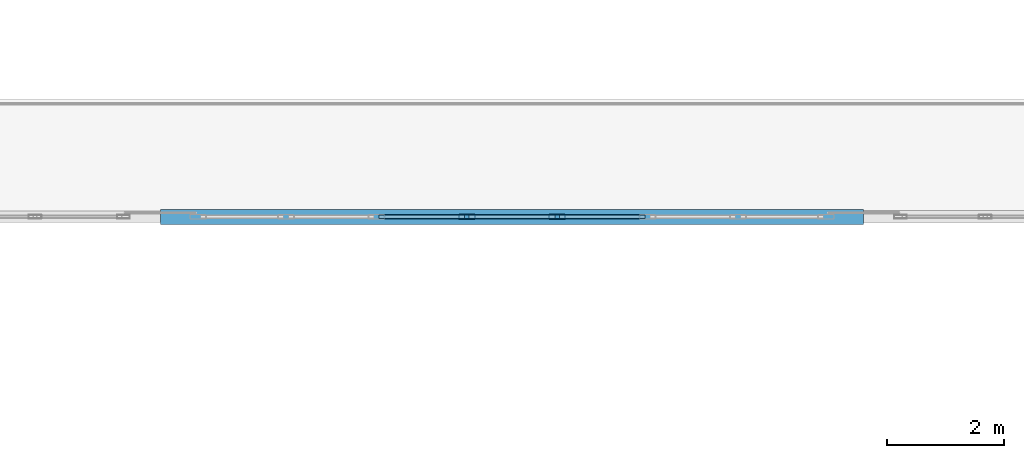
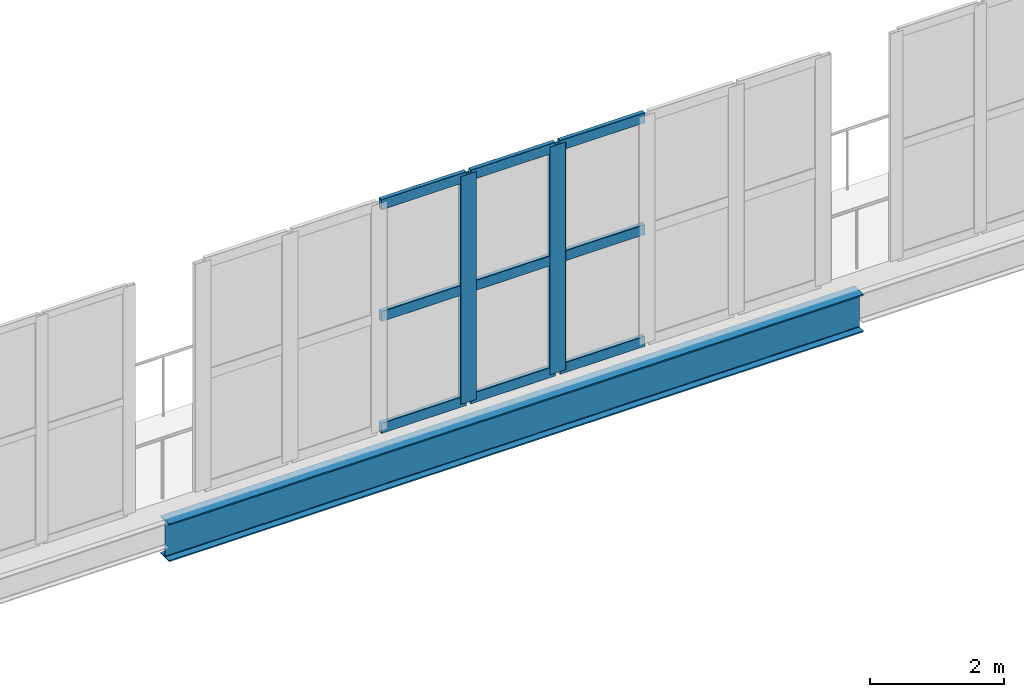
# One storey, part 4 of 90: 11 members, 1 beam, 1 element without a shape of its own.
"""IFC4 building model written with IfcOpenShell, lengths in metres."""

from ifc_helpers import new_model, si_unit, direction, frame, origin, origin_2d, place, context, subcontext, project, spatial, hollow_rectangle, i_section, extrude, material, layer, layer_set, material_profile, profile_set, type_object, element, aggregate, save


model = new_model("IFC4")

# Units and contexts
model_context = context("Model", 3, precision=1e-05, world=origin(), true_north=direction((0.0, 1.0)))
body_context = subcontext(model_context, "Body", "Model", "MODEL_VIEW")
ifc_project = project(units=[si_unit("LENGTHUNIT", "METRE"), si_unit("AREAUNIT", "SQUARE_METRE"), si_unit("VOLUMEUNIT", "CUBIC_METRE"), si_unit("PLANEANGLEUNIT", "RADIAN"), si_unit("MASSUNIT", "GRAM", prefix="KILO")], contexts=[model_context])

# Site, building, storey
site_placement = place(None, origin())
site = spatial("IfcSite", under=ifc_project, at=site_placement, CompositionType="ELEMENT")
building_placement = place(site_placement, origin())
building = spatial("IfcBuilding", under=site, at=building_placement, Name="Brinegate Civic Arena", CompositionType="ELEMENT")
storey_placement = place(building_placement, frame((0.0, 0.0, 14.699951171875)))
storey = spatial("IfcBuildingStorey", under=building, at=storey_placement, Name="L03", CompositionType="ELEMENT", Elevation=14.699951171875)

# Curtain wall, members
ifc_material_1 = material(Name="Marine grade aluminium", Category="aluminium")
ifc_layer = layer(ifc_material_1, 0.18505859375, Name="Marine grade aluminium")
ifc_layer_set = layer_set([ifc_layer], Name="Marine grade aluminium")
curtain_wall_type = type_object("IfcCurtainWallType", Name="CW-WING-GLAZED-03", PredefinedType="USERDEFINED", material=ifc_layer_set)
curtain_wall_placement = place(storey_placement, origin())
curtain_wall = element("IfcCurtainWall", 1, at=curtain_wall_placement, inside=storey, type_object=curtain_wall_type, Name="Curtain Wall CWA-029", ObjectType="GLAZED CURTAIN WALL", PredefinedType="USERDEFINED")
ifc_material_profile_1 = material_profile(ifc_material_1, hollow_rectangle(XDim=0.080078125, YDim=0.280029296875, WallThickness=0.007080078125, InnerFilletRadius=0.0048828125, OuterFilletRadius=0.010009765625, at=origin_2d()), Name="MUL80X280")
ifc_profile_set_1 = profile_set([ifc_material_profile_1], Name="Marine grade aluminium")
member_type_1 = type_object("IfcMemberType", Name="CW-MULLION-80X280", PredefinedType="MULLION", material=ifc_profile_set_1)
member_1_placement = place(storey_placement, frame((29.228515625, 10.0, 0.0), z_axis=(0.0, 0.0, 1.0), x_axis=(0.0, 1.0, 0.0)))
member_1 = element("IfcMember", 2, at=member_1_placement, type_object=member_type_1, Name="CWA-029 mullion 4", PredefinedType="MULLION", context=body_context, shape_type="SweptSolid", body=[
    extrude(hollow_rectangle(XDim=0.080078125, YDim=0.280029296875, WallThickness=0.007080078125, InnerFilletRadius=0.0048828125, OuterFilletRadius=0.010009765625, at=origin_2d()), origin(), (0.0, 0.0, 1.0), 4.16015625),
])
member_2_placement = place(storey_placement, frame((30.771484375, 10.0, 0.0), z_axis=(0.0, 0.0, 1.0), x_axis=(0.0, 1.0, 0.0)))
member_2 = element("IfcMember", 3, at=member_2_placement, type_object=member_type_1, Name="CWA-029 mullion 5", PredefinedType="MULLION", context=body_context, shape_type="SweptSolid", body=[
    extrude(hollow_rectangle(XDim=0.080078125, YDim=0.280029296875, WallThickness=0.007080078125, InnerFilletRadius=0.0048828125, OuterFilletRadius=0.010009765625, at=origin_2d()), origin(), (0.0, 0.0, 1.0), 4.16015625),
])
ifc_material_profile_2 = material_profile(ifc_material_1, hollow_rectangle(XDim=0.074951171875, YDim=0.18994140625, WallThickness=0.006103515625, InnerFilletRadius=0.00390625, OuterFilletRadius=0.008056640625, at=origin_2d()), Name="TRN75X190")
ifc_profile_set_2 = profile_set([ifc_material_profile_2], Name="Marine grade aluminium")
member_type_2 = type_object("IfcMemberType", Name="CW-TRANSOM-75X190", PredefinedType="USERDEFINED", material=ifc_profile_set_2)
member_3_placement = place(storey_placement, frame((27.725830078125, 10.0, 0.03759765625), z_axis=(1.0, 0.0, 0.0), x_axis=(0.0, 1.0, 0.0)))
member_3 = element("IfcMember", 4, at=member_3_placement, type_object=member_type_2, Name="CWA-029 transom 3.1", ObjectType="TRANSOM", PredefinedType="USERDEFINED", context=body_context, shape_type="SweptSolid", body=[
    extrude(hollow_rectangle(XDim=0.074951171875, YDim=0.18994140625, WallThickness=0.006103515625, InnerFilletRadius=0.00390625, OuterFilletRadius=0.008056640625, at=origin_2d()), origin(), (0.0, 0.0, 1.0), 1.462646484375),
])
member_4_placement = place(storey_placement, frame((27.725830078125, 10.0, 2.080078125), z_axis=(1.0, 0.0, 0.0), x_axis=(0.0, 1.0, 0.0)))
member_4 = element("IfcMember", 5, at=member_4_placement, type_object=member_type_2, Name="CWA-029 transom 3.2", ObjectType="TRANSOM", PredefinedType="USERDEFINED", context=body_context, shape_type="SweptSolid", body=[
    extrude(hollow_rectangle(XDim=0.074951171875, YDim=0.18994140625, WallThickness=0.006103515625, InnerFilletRadius=0.00390625, OuterFilletRadius=0.008056640625, at=origin_2d()), origin(), (0.0, 0.0, 1.0), 1.462646484375),
])
member_5_placement = place(storey_placement, frame((27.725830078125, 10.0, 4.12255859375), z_axis=(1.0, 0.0, 0.0), x_axis=(0.0, 1.0, 0.0)))
member_5 = element("IfcMember", 6, at=member_5_placement, type_object=member_type_2, Name="CWA-029 transom 3.3", ObjectType="TRANSOM", PredefinedType="USERDEFINED", context=body_context, shape_type="SweptSolid", body=[
    extrude(hollow_rectangle(XDim=0.074951171875, YDim=0.18994140625, WallThickness=0.006103515625, InnerFilletRadius=0.00390625, OuterFilletRadius=0.008056640625, at=origin_2d()), origin(), (0.0, 0.0, 1.0), 1.462646484375),
])
member_6_placement = place(storey_placement, frame((29.2685546875, 10.0, 0.03759765625), z_axis=(1.0, 0.0, 0.0), x_axis=(0.0, 1.0, 0.0)))
member_6 = element("IfcMember", 7, at=member_6_placement, type_object=member_type_2, Name="CWA-029 transom 4.1", ObjectType="TRANSOM", PredefinedType="USERDEFINED", context=body_context, shape_type="SweptSolid", body=[
    extrude(hollow_rectangle(XDim=0.074951171875, YDim=0.18994140625, WallThickness=0.006103515625, InnerFilletRadius=0.00390625, OuterFilletRadius=0.008056640625, at=origin_2d()), origin(), (0.0, 0.0, 1.0), 1.462890625),
])
member_7_placement = place(storey_placement, frame((29.2685546875, 10.0, 2.080078125), z_axis=(1.0, 0.0, 0.0), x_axis=(0.0, 1.0, 0.0)))
member_7 = element("IfcMember", 8, at=member_7_placement, type_object=member_type_2, Name="CWA-029 transom 4.2", ObjectType="TRANSOM", PredefinedType="USERDEFINED", context=body_context, shape_type="SweptSolid", body=[
    extrude(hollow_rectangle(XDim=0.074951171875, YDim=0.18994140625, WallThickness=0.006103515625, InnerFilletRadius=0.00390625, OuterFilletRadius=0.008056640625, at=origin_2d()), origin(), (0.0, 0.0, 1.0), 1.462890625),
])
member_8_placement = place(storey_placement, frame((29.2685546875, 10.0, 4.12255859375), z_axis=(1.0, 0.0, 0.0), x_axis=(0.0, 1.0, 0.0)))
member_8 = element("IfcMember", 9, at=member_8_placement, type_object=member_type_2, Name="CWA-029 transom 4.3", ObjectType="TRANSOM", PredefinedType="USERDEFINED", context=body_context, shape_type="SweptSolid", body=[
    extrude(hollow_rectangle(XDim=0.074951171875, YDim=0.18994140625, WallThickness=0.006103515625, InnerFilletRadius=0.00390625, OuterFilletRadius=0.008056640625, at=origin_2d()), origin(), (0.0, 0.0, 1.0), 1.462890625),
])
member_9_placement = place(storey_placement, frame((30.8115234375, 10.0, 0.03759765625), z_axis=(1.0, 0.0, 0.0), x_axis=(0.0, 1.0, 0.0)))
member_9 = element("IfcMember", 10, at=member_9_placement, type_object=member_type_2, Name="CWA-029 transom 5.1", ObjectType="TRANSOM", PredefinedType="USERDEFINED", context=body_context, shape_type="SweptSolid", body=[
    extrude(hollow_rectangle(XDim=0.074951171875, YDim=0.18994140625, WallThickness=0.006103515625, InnerFilletRadius=0.00390625, OuterFilletRadius=0.008056640625, at=origin_2d()), origin(), (0.0, 0.0, 1.0), 1.462646484375),
])
member_10_placement = place(storey_placement, frame((30.8115234375, 10.0, 2.080078125), z_axis=(1.0, 0.0, 0.0), x_axis=(0.0, 1.0, 0.0)))
member_10 = element("IfcMember", 11, at=member_10_placement, type_object=member_type_2, Name="CWA-029 transom 5.2", ObjectType="TRANSOM", PredefinedType="USERDEFINED", context=body_context, shape_type="SweptSolid", body=[
    extrude(hollow_rectangle(XDim=0.074951171875, YDim=0.18994140625, WallThickness=0.006103515625, InnerFilletRadius=0.00390625, OuterFilletRadius=0.008056640625, at=origin_2d()), origin(), (0.0, 0.0, 1.0), 1.462646484375),
])
member_11_placement = place(storey_placement, frame((30.8115234375, 10.0, 4.12255859375), z_axis=(1.0, 0.0, 0.0), x_axis=(0.0, 1.0, 0.0)))
member_11 = element("IfcMember", 12, at=member_11_placement, type_object=member_type_2, Name="CWA-029 transom 5.3", ObjectType="TRANSOM", PredefinedType="USERDEFINED", context=body_context, shape_type="SweptSolid", body=[
    extrude(hollow_rectangle(XDim=0.074951171875, YDim=0.18994140625, WallThickness=0.006103515625, InnerFilletRadius=0.00390625, OuterFilletRadius=0.008056640625, at=origin_2d()), origin(), (0.0, 0.0, 1.0), 1.462646484375),
])
aggregate(curtain_wall, [member_1, member_2, member_3, member_4, member_5, member_6, member_7, member_8, member_9, member_10, member_11])

# Beam
ifc_material_2 = material(Name="Steel S355", Category="steel")
ifc_material_profile_3 = material_profile(ifc_material_2, i_section(OverallWidth=0.256103515625, OverallDepth=0.693115234375, WebThickness=0.014892578125, FlangeThickness=0.02392578125, FilletRadius=0.01806640625, at=origin_2d()), Name="W690X170")
ifc_profile_set_3 = profile_set([ifc_material_profile_3], Name="Steel S355")
beam_type = type_object("IfcBeamType", Name="SPANDREL-W690X170", PredefinedType="SPANDREL", material=ifc_profile_set_3)
beam_placement = place(storey_placement, frame((24.0, 10.0, -0.696044921875), z_axis=(1.0, 0.0, 0.0), x_axis=(0.0, 1.0, 0.0)))
element("IfcBeam", 13, at=beam_placement, inside=storey, type_object=beam_type, Name="Floor Girder BM-L03-GX-02-01", PredefinedType="SPANDREL", context=body_context, shape_type="SweptSolid", body=[
    extrude(i_section(OverallWidth=0.256103515625, OverallDepth=0.693115234375, WebThickness=0.014892578125, FlangeThickness=0.02392578125, FilletRadius=0.01806640625, at=origin_2d()), origin(), (0.0, 0.0, 1.0), 12.0),
])

save(model, "model.ifc")
